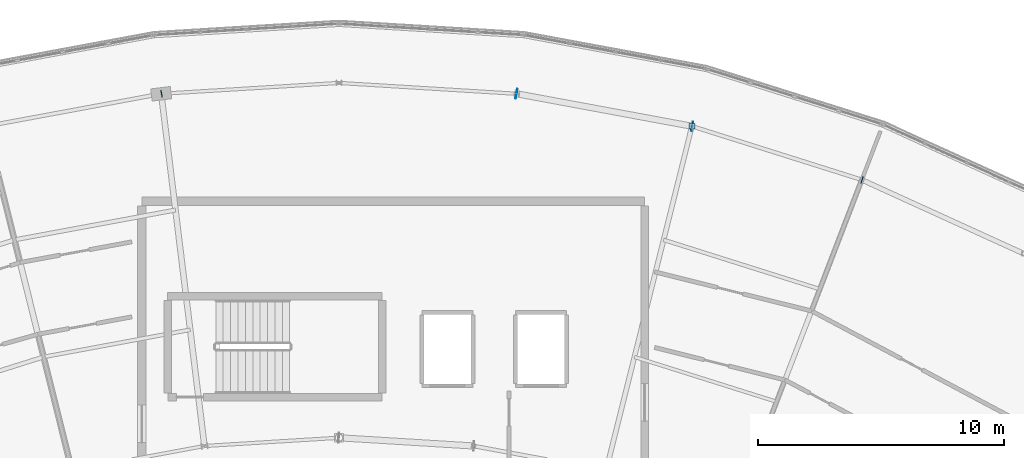
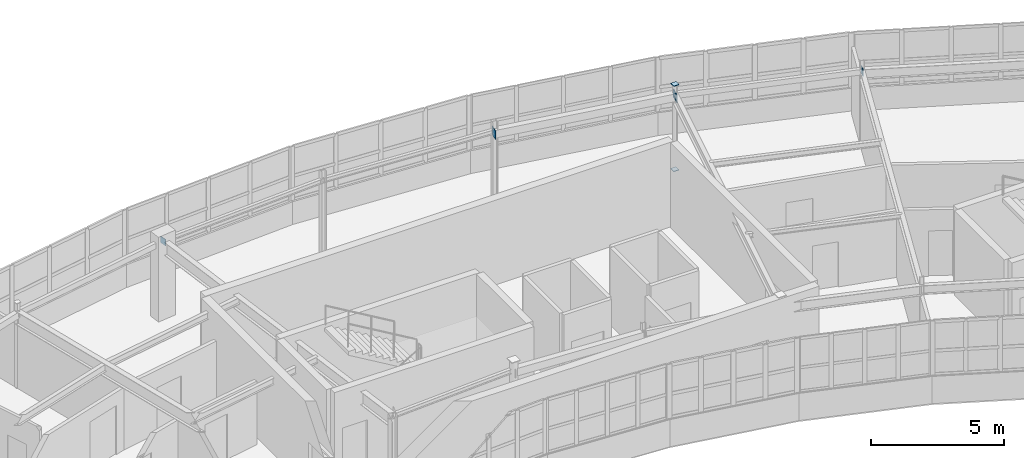
# One storey, part 51 of 60: 7 plates.
"""IFC4 building model written with IfcOpenShell, lengths in metres."""

from ifc_helpers import new_model, si_unit, direction, frame, origin, origin_2d, place, context, subcontext, project, spatial, rectangle, extrude, material, layer, layer_set, type_object, element, save


model = new_model("IFC4")

# Units and contexts
model_context = context("Model", 3, precision=1e-05, world=origin(), true_north=direction((0.0, 1.0)))
body_context = subcontext(model_context, "Body", "Model", "MODEL_VIEW")
ifc_project = project(units=[si_unit("LENGTHUNIT", "METRE"), si_unit("AREAUNIT", "SQUARE_METRE"), si_unit("VOLUMEUNIT", "CUBIC_METRE"), si_unit("PLANEANGLEUNIT", "RADIAN"), si_unit("MASSUNIT", "GRAM", prefix="KILO")], contexts=[model_context])

# Site, building, storey
site_placement = place(None, origin())
site = spatial("IfcSite", under=ifc_project, at=site_placement, CompositionType="ELEMENT")
building_placement = place(site_placement, origin())
building = spatial("IfcBuilding", under=site, at=building_placement, Name="Tarnwether General Hospital", CompositionType="ELEMENT")
storey_placement = place(building_placement, frame((0.0, 0.0, 26.10009765625)))
storey = spatial("IfcBuildingStorey", under=building, at=storey_placement, Name="L06", CompositionType="ELEMENT", Elevation=26.10009765625)

# Plates
ifc_material = material(Name="Steel Grade 350 (350 MPa)", Category="steel")
ifc_layer = layer(ifc_material, 0.02490234375)
ifc_layer_set = layer_set([ifc_layer], Name="Steel Grade 350 (350 MPa)")
plate_type = type_object("IfcPlateType", Name="PT-GUS2", PredefinedType="USERDEFINED", material=ifc_layer_set)
for number, where, z_axis, x_axis, name in (
    (1, (106.322021484375, 120.44189453125, -0.025146484375), (0.0, 0.0, 1.0), (1.0, 0.0, 0.0), "Hollow Section Welded End Cap Plate 0555"),
    (2, (106.322021484375, 120.44189453125, 3.89990234375), (0.0, 0.0, 1.0), (1.0, 0.0, 0.0), "Hollow Section Welded End Cap Plate 0556"),
):
    element("IfcPlate", number, at=place(storey_placement, frame(where, z_axis=z_axis, x_axis=x_axis)), inside=storey, type_object=plate_type, Name=name, ObjectType="GUSSET", PredefinedType="USERDEFINED", context=body_context, shape_type="SweptSolid", body=[
        extrude(rectangle(XDim=0.23388671875, YDim=0.23388671875, at=origin_2d()), origin(), (0.0, 0.0, 1.0), 0.02490234375),
    ])
plate_placement = place(storey_placement, frame((84.79736328125, 121.76123046875, 3.27490234375), z_axis=(0.0, 0.0, 1.0), x_axis=(0.983261268185, 0.18220120331, 0.0)))
element("IfcPlate", 3, at=plate_placement, inside=storey, type_object=plate_type, Name="Hollow Section Welded End Cap Plate 1066", ObjectType="GUSSET", PredefinedType="USERDEFINED", context=body_context, shape_type="SweptSolid", body=[
    extrude(rectangle(XDim=0.02490234375, YDim=0.2900390625, at=origin_2d()), origin(), (0.0, 0.0, 1.0), 0.2900390625),
])
for number, where, z_axis, x_axis, name in (
    (4, (99.20263671875, 121.76123046875, 3.1748046875), (0.0, 0.0, 1.0), (0.983261268185, -0.18220120331, 0.0), "Hollow Section Welded End Cap Plate 1069"),
    (5, (106.334228515625, 120.439697265625, 3.1748046875), (0.0, 0.0, 1.0), (0.983261268185, -0.18220120331, 0.0), "Hollow Section Welded End Cap Plate 1070"),
):
    element("IfcPlate", number, at=place(storey_placement, frame(where, z_axis=z_axis, x_axis=x_axis)), inside=storey, type_object=plate_type, Name=name, ObjectType="GUSSET", PredefinedType="USERDEFINED", context=body_context, shape_type="SweptSolid", body=[
        extrude(rectangle(XDim=0.02490234375, YDim=0.389892578125, at=origin_2d()), origin(), (0.0, 0.0, 1.0), 0.389892578125),
    ])
for number, where, z_axis, x_axis, name in (
    (6, (106.31005859375, 120.44580078125, 3.27490234375), (0.0, 0.0, 1.0), (0.953690705585, -0.300789025864, 0.0), "Hollow Section Welded End Cap Plate 1073"),
    (7, (113.226806640625, 118.26416015625, 3.27490234375), (0.0, 0.0, 1.0), (0.953690705585, -0.300789025864, 0.0), "Hollow Section Welded End Cap Plate 1074"),
):
    element("IfcPlate", number, at=place(storey_placement, frame(where, z_axis=z_axis, x_axis=x_axis)), inside=storey, type_object=plate_type, Name=name, ObjectType="GUSSET", PredefinedType="USERDEFINED", context=body_context, shape_type="SweptSolid", body=[
        extrude(rectangle(XDim=0.02490234375, YDim=0.2900390625, at=origin_2d()), origin(), (0.0, 0.0, 1.0), 0.2900390625),
    ])

save(model, "model.ifc")
